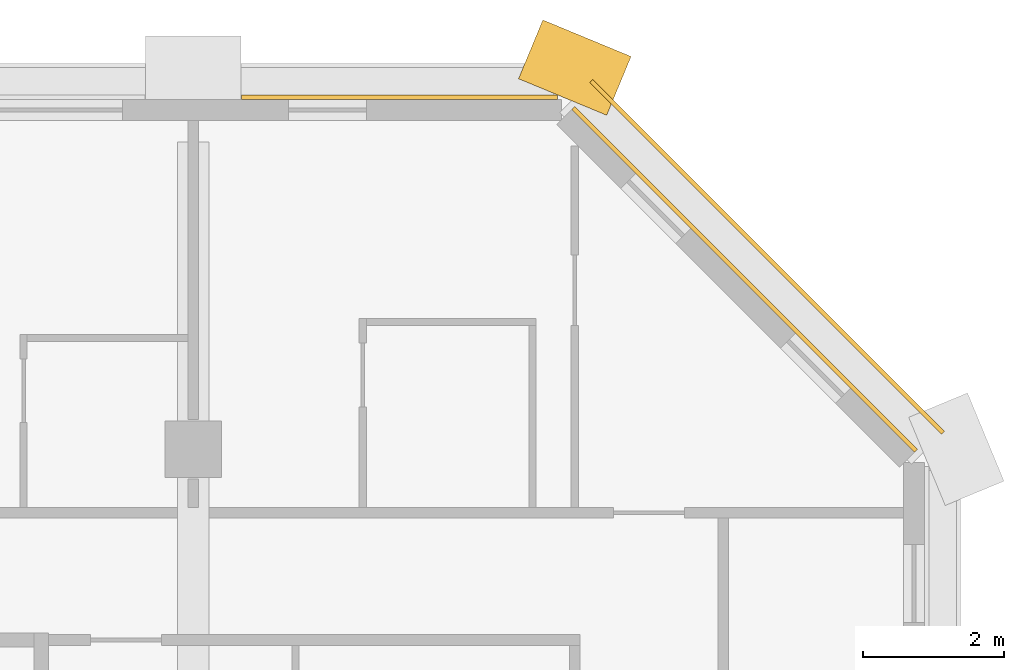
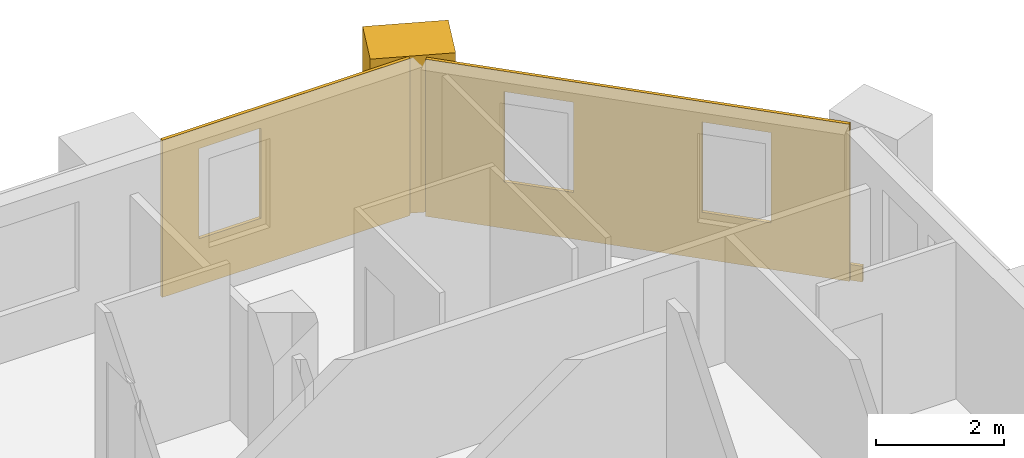
# One storey, part 13 of 13: 4 coverings.
"""IFC4 building model written with IfcOpenShell, lengths in metres."""

from ifc_helpers import new_model, si_unit, direction, frame, frame_2d, origin, place, context, subcontext, project, spatial, polyline, rectangle, outline, extrude, material, layer, layer_set, type_object, element, save


model = new_model("IFC4")

# Units and contexts
model_context = context("Model", 3, precision=1e-05, world=origin(), true_north=direction((0.0, 1.0)))
body_context = subcontext(model_context, "Body", "Model", "MODEL_VIEW")
ifc_project = project(units=[si_unit("LENGTHUNIT", "METRE"), si_unit("AREAUNIT", "SQUARE_METRE"), si_unit("VOLUMEUNIT", "CUBIC_METRE"), si_unit("PLANEANGLEUNIT", "RADIAN"), si_unit("MASSUNIT", "GRAM", prefix="KILO")], contexts=[model_context])

# Site, building, storey
site_placement = place(None, origin())
site = spatial("IfcSite", under=ifc_project, at=site_placement, CompositionType="ELEMENT")
building_placement = place(site_placement, origin())
building = spatial("IfcBuilding", under=site, at=building_placement, Name="Tabaq Tower and Sports Hall", CompositionType="ELEMENT")
storey_placement = place(building_placement, frame((0.0, 0.0, 203.800048828125)))
storey = spatial("IfcBuildingStorey", under=building, at=storey_placement, Name="L50", CompositionType="ELEMENT", Elevation=203.800048828125)

# Coverings
ifc_material_1 = material(Name="Precast concrete C60/75", Category="concrete")
ifc_layer_1 = layer(ifc_material_1, 0.06005859375)
ifc_layer_set_1 = layer_set([ifc_layer_1], Name="Edge beam cladding 60")
covering_type_1 = type_object("IfcCoveringType", Name="Edge beam cladding 60", PredefinedType="CLADDING", material=ifc_layer_set_1)
covering_1_placement = place(storey_placement, frame((48.41015625, 43.432373046875, -0.300048828125), z_axis=(0.0, 0.0, 1.0), x_axis=(-0.707106781187, 0.707106781187, 0.0)))
element("IfcCovering", 1, at=covering_1_placement, inside=storey, type_object=covering_type_1, Name="Edge beam cladding L50 3", PredefinedType="CLADDING", context=body_context, shape_type="SweptSolid", body=[
    extrude(rectangle(XDim=7.03955078125, YDim=0.06005859375, at=frame_2d((3.519775390625, 0.0))), origin(), (0.0, 0.0, 1.0), 0.300048828125),
])
ifc_material_2 = material(Name="White precast concrete C60/75", Category="concrete")
covering_type_2 = type_object("IfcCoveringType", Name="Pier cladding hung 1350x900", PredefinedType="CLADDING", material=ifc_material_2)
covering_2_placement = place(storey_placement, frame((43.82373046875, 48.341796875, 0.0), z_axis=(0.0, 0.0, 1.0), x_axis=(-0.923893411637, 0.382649923473, 0.0)))
element("IfcCovering", 2, at=covering_2_placement, inside=storey, type_object=covering_type_2, Name="Hung pier cladding 8/9", PredefinedType="CLADDING", context=body_context, shape_type="SweptSolid", body=[
    extrude(rectangle(XDim=1.35009765625, YDim=0.89990234375, at=frame_2d((0.675048828125, 0.0))), origin(), (0.0, 0.0, 1.0), 3.0),
])
ifc_material_3 = material(Name="Precast concrete C60/75", Category="concrete")
ifc_layer_2 = layer(ifc_material_3, 0.06005859375)
ifc_layer_set_2 = layer_set([ifc_layer_2], Name="White precast cladding panel 60 C60/75")
covering_type_3 = type_object("IfcCoveringType", Name="White precast cladding panel 60 C60/75", PredefinedType="CLADDING", material=ifc_layer_set_2)
covering_3_placement = place(storey_placement, frame((48.0283203125, 43.177734375, 0.0), z_axis=(0.0, 0.0, 1.0), x_axis=(-0.707106781187, 0.707106781187, 0.0)))
element("IfcCovering", 3, at=covering_3_placement, inside=storey, type_object=covering_type_3, Name="White precast cladding panel L50 wall03", PredefinedType="CLADDING", context=body_context, shape_type="SweptSolid", body=[
    extrude(outline(polyline([(0.0, 0.0), (6.85986328125, 0.0), (6.85986328125, 3.0), (0.0, 3.0), (0.0, 0.0)]), holes=[polyline([(1.269775390625, 2.60986328125), (2.389892578125, 2.60986328125), (2.389892578125, 0.889892578125), (1.269775390625, 0.889892578125), (1.269775390625, 2.60986328125)]), polyline([(4.4697265625, 2.60986328125), (5.58984375, 2.60986328125), (5.58984375, 0.889892578125), (4.4697265625, 0.889892578125), (4.4697265625, 2.60986328125)])]), frame((0.0, 0.030029296875, 0.0), z_axis=(0.0, -1.0, 0.0), x_axis=(1.0, 0.0, 0.0)), (0.0, 0.0, 1.0), 0.06005859375),
])
covering_4_placement = place(storey_placement, frame((42.956787109375, 48.179931640625, 0.0), z_axis=(0.0, 0.0, 1.0), x_axis=(-1.0, 0.0, 0.0)))
element("IfcCovering", 4, at=covering_4_placement, inside=storey, type_object=covering_type_3, Name="White precast cladding panel L50 wall04", PredefinedType="CLADDING", context=body_context, shape_type="SweptSolid", body=[
    extrude(outline(polyline([(0.0, 0.0), (4.4716796875, 0.0), (4.4716796875, 3.0), (0.0, 3.0), (0.0, 0.0)]), holes=[polyline([(2.69677734375, 0.889892578125), (2.69677734375, 2.60986328125), (3.81689453125, 2.60986328125), (3.81689453125, 0.889892578125), (2.69677734375, 0.889892578125)])]), frame((0.0, 0.030029296875, 0.0), z_axis=(0.0, -1.0, 0.0), x_axis=(1.0, 0.0, 0.0)), (0.0, 0.0, 1.0), 0.06005859375),
])

save(model, "model.ifc")
